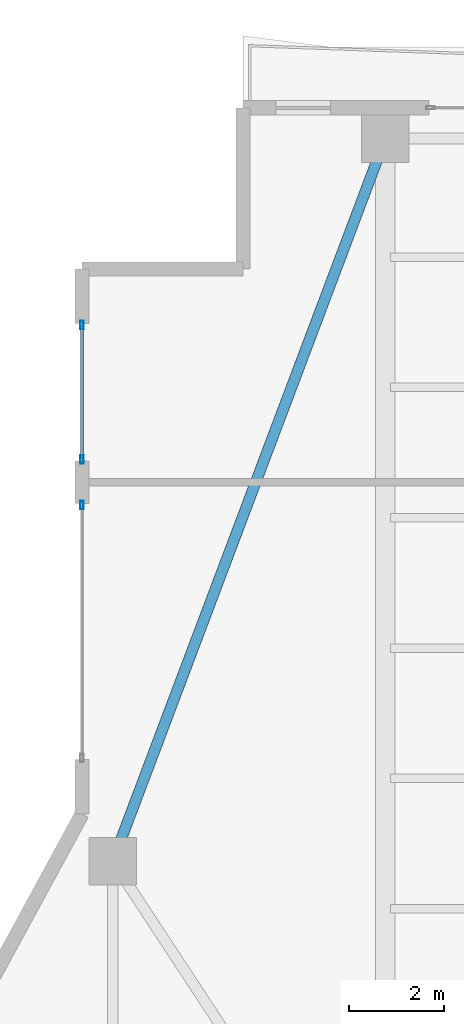
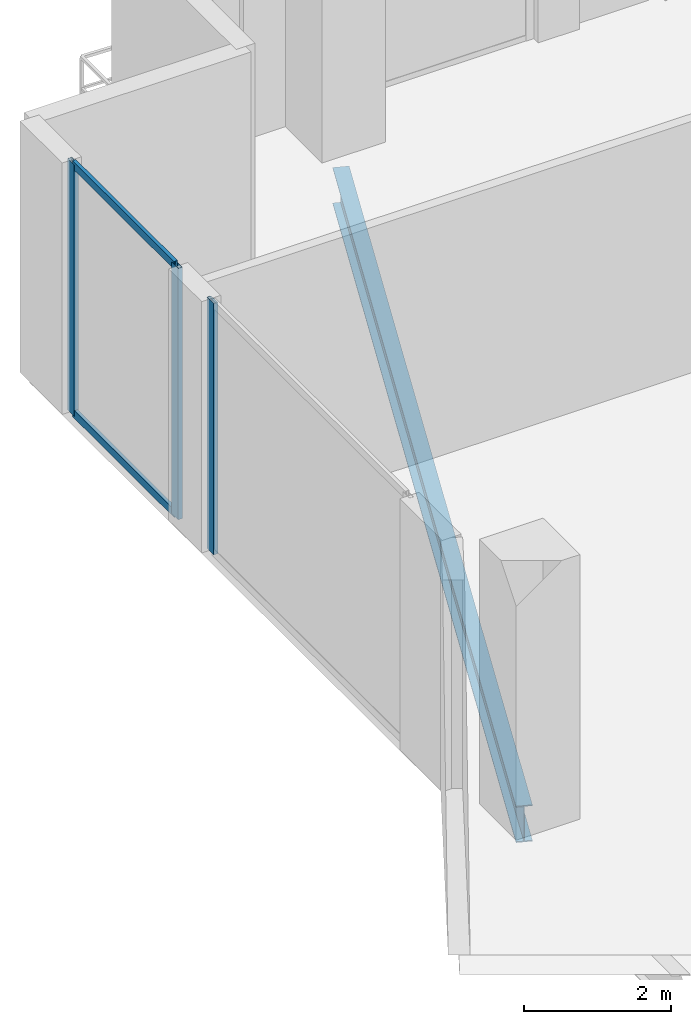
# One storey, part 11 of 23: 5 members, 1 beam, 2 elements without a shape of their own.
"""IFC4 building model written with IfcOpenShell, lengths in metres."""

import ifcopenshell
import ifcopenshell.guid

model = None  # the IFC model being written
_history = None  # IfcOwnerHistory: only IFC2X3 demands one
_inside = {}  # id of a spatial element -> (the spatial element, [elements in it])
_under = {}  # id of a project, library or spatial element -> (it, [spatial elements below it])
_declared = {}  # id of a project -> (the project, [libraries it declares])
_typed = {}  # id of a type object -> (the type object, [elements of that type])
_made_of = {}  # id of a material, layer set ... -> (it, [elements and type objects made of it])


def new_model(schema):
    """Start an empty IFC model of exactly this schema.

    Asked for "IFC4X3", IfcOpenShell would pick the latest addendum, in which some entities
    have other attributes; the version numbers below select the first issue.
    IFC2X3 requires an IfcOwnerHistory on every rooted entity: one is made here for all.
    """
    global model, _history
    if schema == "IFC4X3":
        model = ifcopenshell.file(schema_version=(4, 3, 0, 0))
    else:
        model = ifcopenshell.file(schema=schema)
    _inside.clear()
    _under.clear()
    _declared.clear()
    _typed.clear()
    _made_of.clear()
    _history = None
    if model.schema == "IFC2X3":
        org = make("IfcOrganization", Name="unknown")
        user = make(
            "IfcPersonAndOrganization",
            ThePerson=make("IfcPerson", FamilyName="unknown"),
            TheOrganization=org,
        )
        app = make(
            "IfcApplication",
            ApplicationDeveloper=org,
            Version="unknown",
            ApplicationFullName="unknown",
            ApplicationIdentifier="unknown",
        )
        _history = make(
            "IfcOwnerHistory",
            OwningUser=user,
            OwningApplication=app,
            ChangeAction="ADDED",
            CreationDate=0,
        )
    return model


def make(cls, **values):
    """One entity of the class cls with the attributes given. An attribute that is None is left unset."""
    return model.create_entity(
        cls, **{name: value for name, value in values.items() if value is not None}
    )


def rooted(cls, **values):
    """An entity with a GlobalId (a new one), such as an element, a storey or a relation."""
    return make(cls, GlobalId=ifcopenshell.guid.new(), OwnerHistory=_history, **values)


def si_unit(unit_type, name, prefix=None):
    """IfcSIUnit, for example si_unit("LENGTHUNIT", "METRE", prefix="MILLI")."""
    return make("IfcSIUnit", UnitType=unit_type, Prefix=prefix, Name=name)


def assignment(units):
    """IfcUnitAssignment: the units of a project."""
    return None if units is None else make("IfcUnitAssignment", Units=units)


def point(xyz):
    """IfcCartesianPoint."""
    return None if xyz is None else make("IfcCartesianPoint", Coordinates=xyz)


def direction(xyz):
    """IfcDirection."""
    return None if xyz is None else make("IfcDirection", DirectionRatios=xyz)


def frame(location, z_axis=None, x_axis=None):
    """IfcAxis2Placement3D, a coordinate frame: its origin and axes. An axis left out is left unset."""
    return make(
        "IfcAxis2Placement3D",
        Location=point(location),
        Axis=direction(z_axis),
        RefDirection=direction(x_axis),
    )


def frame_2d(location, x_axis=None):
    """IfcAxis2Placement2D, a coordinate frame in the plane: its origin and x axis."""
    return make(
        "IfcAxis2Placement2D", Location=point(location), RefDirection=direction(x_axis)
    )


def origin():
    """The frame at (0, 0, 0) with its axes left unset."""
    return frame((0.0, 0.0, 0.0))


def origin_2d():
    """The frame at (0, 0) in the plane with its x axis left unset."""
    return frame_2d((0.0, 0.0))


def place(relative_to, where):
    """IfcLocalPlacement: puts the frame where relative to a parent placement (None: the world)."""
    return make(
        "IfcLocalPlacement", PlacementRelTo=relative_to, RelativePlacement=where
    )


def context(
    kind, dimensions, precision=None, world=None, true_north=None, identifier=None
):
    """IfcGeometricRepresentationContext, for example the 3D "Model" context."""
    return make(
        "IfcGeometricRepresentationContext",
        ContextIdentifier=identifier,
        ContextType=kind,
        CoordinateSpaceDimension=dimensions,
        Precision=precision,
        WorldCoordinateSystem=world,
        TrueNorth=true_north,
    )


def subcontext(parent, identifier, kind, view, scale=None):
    """IfcGeometricRepresentationSubContext, for example "Body" below "Model"."""
    return make(
        "IfcGeometricRepresentationSubContext",
        ContextIdentifier=identifier,
        ContextType=kind,
        ParentContext=parent,
        TargetScale=scale,
        TargetView=view,
    )


def project(units=None, contexts=None):
    """IfcProject with its units and contexts."""
    return rooted(
        "IfcProject",
        Name="project",
        RepresentationContexts=contexts,
        UnitsInContext=assignment(units),
    )


def spatial(cls, under=None, at=None, **own):
    """A site, building, storey or space (cls), placed at a placement, below another one or the project."""
    s = rooted(cls, ObjectPlacement=at, **own)
    if under is not None:
        _under.setdefault(under.id(), (under, []))[1].append(s)
    return s


def profile(cls, at=None, kind="AREA", **sizes):
    """A parametric profile (cls). Its sizes go by their IFC names, for example OverallWidth=200.0."""
    return make(cls, ProfileType=kind, Position=at, **sizes)


def hollow_rectangle(**sizes):
    """IfcRectangleHollowProfileDef."""
    return profile("IfcRectangleHollowProfileDef", **sizes)


def i_section(**sizes):
    """IfcIShapeProfileDef."""
    return profile("IfcIShapeProfileDef", **sizes)


def extrude(swept, where, along, depth):
    """IfcExtrudedAreaSolid: the profile swept, set in the frame where, extruded along a direction by depth."""
    return make(
        "IfcExtrudedAreaSolid",
        SweptArea=swept,
        Position=where,
        ExtrudedDirection=direction(along),
        Depth=depth,
    )


def shape(context_of_items, identifier, shape_type, items):
    """IfcShapeRepresentation: the items that make up one representation, for example the "Body"."""
    return make(
        "IfcShapeRepresentation",
        ContextOfItems=context_of_items,
        RepresentationIdentifier=identifier,
        RepresentationType=shape_type,
        Items=items,
    )


def material(Name=None, Category=None):
    """IfcMaterial."""
    return make("IfcMaterial", Name=Name, Category=Category)


def layer(
    of_material, thickness, ventilated=None, Name=None, Category=None, Priority=None
):
    """IfcMaterialLayer: one layer of a wall or slab, of a material (None: an air gap)."""
    return make(
        "IfcMaterialLayer",
        Material=of_material,
        LayerThickness=thickness,
        IsVentilated=ventilated,
        Name=Name,
        Category=Category,
        Priority=Priority,
    )


def layer_set(layers, Name=None):
    """IfcMaterialLayerSet."""
    return make("IfcMaterialLayerSet", MaterialLayers=layers, LayerSetName=Name)


def material_profile(
    of_material, cross_section, Name=None, Category=None, Priority=None
):
    """IfcMaterialProfile: a cross section and its material."""
    return make(
        "IfcMaterialProfile",
        Name=Name,
        Material=of_material,
        Profile=cross_section,
        Priority=Priority,
        Category=Category,
    )


def profile_set(profiles, Name=None, composite=None):
    """IfcMaterialProfileSet."""
    return make(
        "IfcMaterialProfileSet",
        Name=Name,
        MaterialProfiles=profiles,
        CompositeProfile=composite,
    )


def made_of(thing, what):
    """Note that an element or type object is made of a material, layer set ...; save() writes the relation."""
    if what is not None:
        _made_of.setdefault(what.id(), (what, []))[1].append(thing)
    return thing


def type_object(cls, material=None, **own):
    """A type object (cls), such as IfcWallType, which elements share."""
    return made_of(rooted(cls, **own), material)


def element(
    cls,
    number,
    at=None,
    inside=None,
    cuts=None,
    type_object=None,
    material=None,
    context=None,
    identifier="Body",
    shape_type=None,
    held_by="IfcProductDefinitionShape",
    body=None,
    shapes=None,
    **own,
):
    """One element of the class cls, such as IfcWall. Its Tag is "e" and its number.

    at: its placement. inside: the storey or other place that contains it. cuts: it is an
    opening in that element (IfcRelVoidsElement). A single representation is given by context,
    identifier, shape_type and body (its items); several are given by shapes. held_by: the class
    of the entity that holds the representations. save() writes the other relations.
    """
    e = rooted(cls, Tag="e%d" % number, ObjectPlacement=at, **own)
    if body is not None:
        shapes = [shape(context, identifier, shape_type, body)]
    if shapes is not None:
        e.Representation = make(held_by, Representations=shapes)
    if inside is not None:
        _inside.setdefault(inside.id(), (inside, []))[1].append(e)
    if cuts is not None:
        rooted(
            "IfcRelVoidsElement", RelatingBuildingElement=cuts, RelatedOpeningElement=e
        )
    if type_object is not None:
        _typed.setdefault(type_object.id(), (type_object, []))[1].append(e)
    return made_of(e, material)


def aggregate(whole, parts):
    """IfcRelAggregates: a whole, such as a stair, and the parts it consists of."""
    return rooted("IfcRelAggregates", RelatingObject=whole, RelatedObjects=parts)


def save(model, path):
    """Write the relations noted so far, then the file.

    IfcRelAggregates (storeys below a building ...), IfcRelContainedInSpatialStructure (elements
    in a storey), IfcRelDefinesByType, IfcRelAssociatesMaterial and IfcRelDeclares: one each for
    every whole, place, type object, material and project.
    """
    for whole, parts in _under.values():
        aggregate(whole, parts)
    for where, things in _inside.values():
        rooted(
            "IfcRelContainedInSpatialStructure",
            RelatedElements=things,
            RelatingStructure=where,
        )
    for kind, things in _typed.values():
        rooted("IfcRelDefinesByType", RelatedObjects=things, RelatingType=kind)
    for what, things in _made_of.values():
        rooted("IfcRelAssociatesMaterial", RelatedObjects=things, RelatingMaterial=what)
    for by, libraries in _declared.values():
        rooted("IfcRelDeclares", RelatingContext=by, RelatedDefinitions=libraries)
    model.write(path)


model = new_model("IFC4")

# Units and contexts
model_context = context("Model", 3, precision=1e-05, world=origin(), true_north=direction((0.0, 1.0)))
body_context = subcontext(model_context, "Body", "Model", "MODEL_VIEW")
ifc_project = project(units=[si_unit("LENGTHUNIT", "METRE"), si_unit("AREAUNIT", "SQUARE_METRE"), si_unit("VOLUMEUNIT", "CUBIC_METRE"), si_unit("PLANEANGLEUNIT", "RADIAN"), si_unit("MASSUNIT", "GRAM", prefix="KILO")], contexts=[model_context])

# Site, building, storey
site_placement = place(None, origin())
site = spatial("IfcSite", under=ifc_project, at=site_placement, CompositionType="ELEMENT")
building_placement = place(site_placement, origin())
building = spatial("IfcBuilding", under=site, at=building_placement, Name="Zuhayl Quay Hotel", CompositionType="ELEMENT")
storey_placement = place(building_placement, frame((0.0, 0.0, 288.449951171875)))
storey = spatial("IfcBuildingStorey", under=building, at=storey_placement, Name="L73", CompositionType="ELEMENT", Elevation=288.449951171875)

# Beam
ifc_material_1 = material(Name="Steel ASTM A992 Grade 50", Category="steel")
ifc_material_profile_1 = material_profile(ifc_material_1, i_section(OverallWidth=0.22802734375, OverallDepth=0.60693359375, WebThickness=0.01123046875, FlangeThickness=0.017333984375, at=origin_2d()), Name="W24X76")
ifc_profile_set_1 = profile_set([ifc_material_profile_1], Name="Steel ASTM A992 Grade 50")
beam_type = type_object("IfcBeamType", Name="BM_B3_W24X76", PredefinedType="BEAM", material=ifc_profile_set_1)
beam_placement = place(storey_placement, frame((-13.96240234375, 37.919677734375, -0.5234375), z_axis=(-0.352796603103, -0.935700035716, 0.0), x_axis=(0.935700035716, -0.352796603103, 0.0)))
element("IfcBeam", 1, at=beam_placement, inside=storey, type_object=beam_type, Name="L73 Floor Beam RG_L73_10", PredefinedType="BEAM", context=body_context, shape_type="SweptSolid", body=[
    extrude(i_section(OverallWidth=0.22802734375, OverallDepth=0.60693359375, WebThickness=0.01123046875, FlangeThickness=0.017333984375, at=origin_2d()), origin(), (0.0, 0.0, 1.0), 15.3779296875),
])

# Curtain wall, member
ifc_material_2 = material(Name="Anodised Aluminium 6063-T6", Category="aluminium")
ifc_layer = layer(ifc_material_2, 0.169921875, Name="Anodised Aluminium 6063-T6", Category="aluminium")
ifc_layer_set = layer_set([ifc_layer], Name="Anodised Aluminium 6063-T6")
curtain_wall_type = type_object("IfcCurtainWallType", Name="CW_SYS_Z4", PredefinedType="USERDEFINED", material=ifc_layer_set)
curtain_wall_1_placement = place(storey_placement, origin())
curtain_wall_1 = element("IfcCurtainWall", 2, at=curtain_wall_1_placement, inside=storey, type_object=curtain_wall_type, Name="L73 Curtain Wall ENV_L73_E05_CW1", ObjectType="UNITISED CURTAIN WALL", PredefinedType="USERDEFINED")
ifc_material_3 = material(Name="Black-anodised aluminium 6063-T6", Category="aluminium")
ifc_material_profile_2 = material_profile(ifc_material_3, hollow_rectangle(XDim=0.06494140625, YDim=0.179931640625, WallThickness=0.00341796875, at=origin_2d()), Name="ALU180X65")
ifc_profile_set_2 = profile_set([ifc_material_profile_2], Name="Black-anodised aluminium 6063-T6")
member_type_1 = type_object("IfcMemberType", Name="MB_CW_MUL_180", PredefinedType="MULLION", material=ifc_profile_set_2)
member_1_placement = place(storey_placement, frame((-20.199951171875, 30.617431640625, 0.0), z_axis=(0.0, 0.0, 1.0), x_axis=(-1.0, 0.0, 0.0)))
member_1 = element("IfcMember", 3, at=member_1_placement, type_object=member_type_1, Name="CW-Z4 mullion 2", PredefinedType="MULLION", context=body_context, shape_type="SweptSolid", body=[
    extrude(hollow_rectangle(XDim=0.06494140625, YDim=0.179931640625, WallThickness=0.00341796875, at=origin_2d()), origin(), (0.0, 0.0, 1.0), 4.179931640625),
])
aggregate(curtain_wall_1, [member_1])

# Curtain wall, members
curtain_wall_2_placement = place(storey_placement, origin())
curtain_wall_2 = element("IfcCurtainWall", 4, at=curtain_wall_2_placement, inside=storey, type_object=curtain_wall_type, Name="L73 Curtain Wall ENV_L73_E05_CW2", ObjectType="UNITISED CURTAIN WALL", PredefinedType="USERDEFINED")
member_2_placement = place(storey_placement, frame((-20.199951171875, 31.58251953125, 0.0), z_axis=(0.0, 0.0, 1.0), x_axis=(-1.0, 0.0, 0.0)))
member_2 = element("IfcMember", 5, at=member_2_placement, type_object=member_type_1, Name="CW-Z4 mullion 1", PredefinedType="MULLION", context=body_context, shape_type="SweptSolid", body=[
    extrude(hollow_rectangle(XDim=0.06494140625, YDim=0.179931640625, WallThickness=0.00341796875, at=origin_2d()), origin(), (0.0, 0.0, 1.0), 4.179931640625),
])
member_3_placement = place(storey_placement, frame((-20.199951171875, 34.41748046875, 0.0), z_axis=(0.0, 0.0, 1.0), x_axis=(-1.0, 0.0, 0.0)))
member_3 = element("IfcMember", 6, at=member_3_placement, type_object=member_type_1, Name="CW-Z4 mullion 2", PredefinedType="MULLION", context=body_context, shape_type="SweptSolid", body=[
    extrude(hollow_rectangle(XDim=0.06494140625, YDim=0.179931640625, WallThickness=0.00341796875, at=origin_2d()), origin(), (0.0, 0.0, 1.0), 4.179931640625),
])
ifc_material_profile_3 = material_profile(ifc_material_3, hollow_rectangle(XDim=0.054931640625, YDim=0.1298828125, WallThickness=0.0029296875, at=origin_2d()), Name="ALU130X55")
ifc_profile_set_3 = profile_set([ifc_material_profile_3], Name="Black-anodised aluminium 6063-T6")
member_type_2 = type_object("IfcMemberType", Name="MB_CW_TRN_130", PredefinedType="USERDEFINED", material=ifc_profile_set_3)
member_4_placement = place(storey_placement, frame((-20.199951171875, 31.614990234375, 0.027587890625), z_axis=(0.0, 1.0, 0.0), x_axis=(-1.0, 0.0, 0.0)))
member_4 = element("IfcMember", 7, at=member_4_placement, type_object=member_type_2, Name="CW-Z4 transom 1.1", ObjectType="TRANSOM", PredefinedType="USERDEFINED", context=body_context, shape_type="SweptSolid", body=[
    extrude(hollow_rectangle(XDim=0.054931640625, YDim=0.1298828125, WallThickness=0.0029296875, at=origin_2d()), origin(), (0.0, 0.0, 1.0), 2.77001953125),
])
member_5_placement = place(storey_placement, frame((-20.199951171875, 31.614990234375, 4.152587890625), z_axis=(0.0, 1.0, 0.0), x_axis=(-1.0, 0.0, 0.0)))
member_5 = element("IfcMember", 8, at=member_5_placement, type_object=member_type_2, Name="CW-Z4 transom 1.2", ObjectType="TRANSOM", PredefinedType="USERDEFINED", context=body_context, shape_type="SweptSolid", body=[
    extrude(hollow_rectangle(XDim=0.054931640625, YDim=0.1298828125, WallThickness=0.0029296875, at=origin_2d()), origin(), (0.0, 0.0, 1.0), 2.77001953125),
])
aggregate(curtain_wall_2, [member_2, member_3, member_4, member_5])

save(model, "model.ifc")
